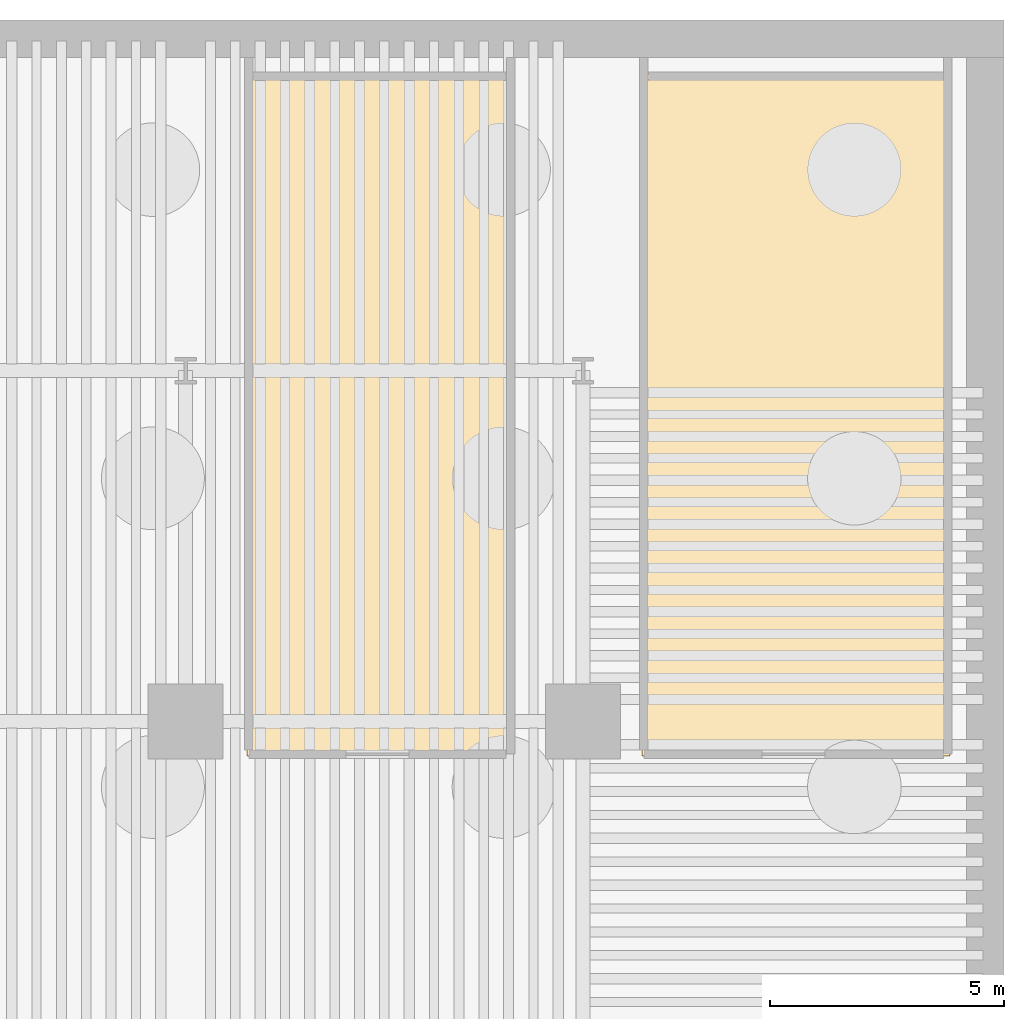
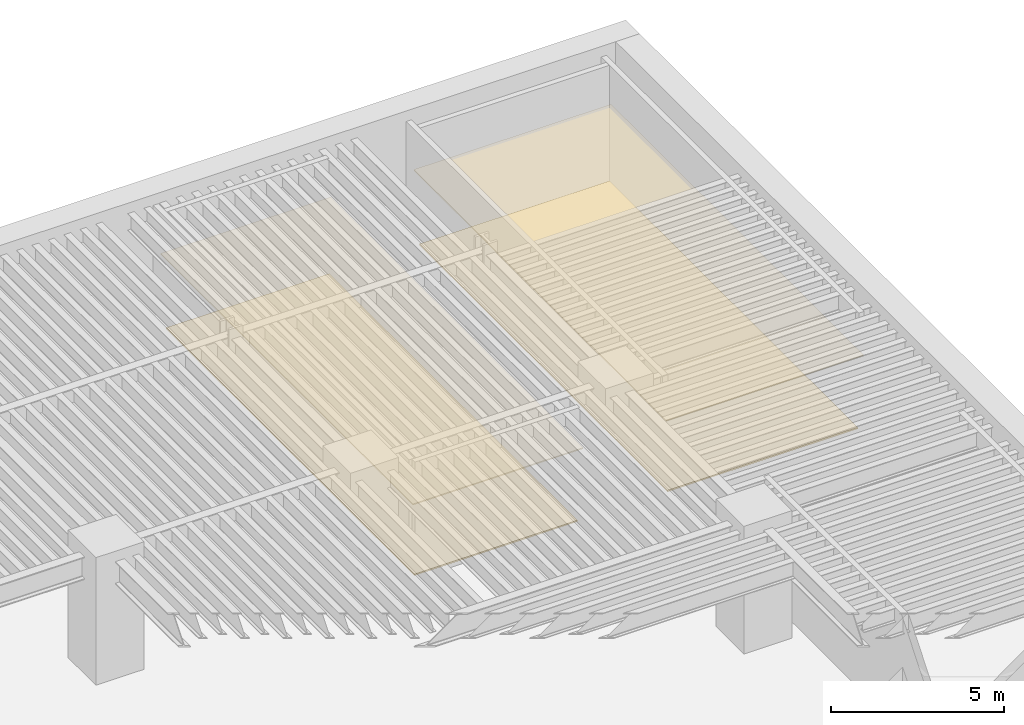
# One storey, part 10 of 11: 4 coverings.
"""IFC4 building model written with IfcOpenShell, lengths in metres."""

from ifc_helpers import new_model, si_unit, direction, frame, origin, place, context, subcontext, project, spatial, polyline, outline, extrude, material, layer, layer_set, type_object, element, save


model = new_model("IFC4")

# Units and contexts
model_context = context("Model", 3, precision=1e-05, world=origin(), true_north=direction((0.0, 1.0)))
body_context = subcontext(model_context, "Body", "Model", "MODEL_VIEW")
ifc_project = project(units=[si_unit("LENGTHUNIT", "METRE"), si_unit("AREAUNIT", "SQUARE_METRE"), si_unit("VOLUMEUNIT", "CUBIC_METRE"), si_unit("PLANEANGLEUNIT", "RADIAN"), si_unit("MASSUNIT", "GRAM", prefix="KILO")], contexts=[model_context])

# Site, building, storey
site_placement = place(None, origin())
site = spatial("IfcSite", under=ifc_project, at=site_placement, CompositionType="ELEMENT")
building_placement = place(site_placement, origin())
building = spatial("IfcBuilding", under=site, at=building_placement, Name="Caeloran Harvest Quay", CompositionType="ELEMENT")
storey_placement = place(building_placement, frame((0.0, 0.0, -18.0)))
storey = spatial("IfcBuildingStorey", under=building, at=storey_placement, Name="B04", CompositionType="ELEMENT", Elevation=-18.0)

# Coverings
ifc_material_1 = material(Name="Perforated Mineral-Fibre Acoustic Ceiling Tile", Category="ceiling")
ifc_layer_1 = layer(ifc_material_1, 0.0400390625, Name="Perforated Mineral-Fibre Acoustic Ceiling Tile")
ifc_layer_set_1 = layer_set([ifc_layer_1], Name="Perforated Mineral-Fibre Acoustic Ceiling Tile")
covering_type_1 = type_object("IfcCoveringType", Name="COV-CEILING-ACOUSTIC", PredefinedType="CEILING", material=ifc_layer_set_1)
covering_1_placement = place(storey_placement, frame((0.0, 0.0, 2.60009765625)))
element("IfcCovering", 1, at=covering_1_placement, inside=storey, type_object=covering_type_1, Name="Geothermal Seawater Heat-Rejection Chiller Plant Acoustic Ceiling", PredefinedType="CEILING", context=body_context, shape_type="SweptSolid", body=[
    extrude(outline(polyline([(58.840087890625, 44.840087890625), (58.840087890625, 30.260009765625), (52.260009765625, 30.260009765625), (52.260009765625, 44.840087890625), (58.840087890625, 44.840087890625)])), origin(), (0.0, 0.0, 1.0), 0.039794921875),
])
covering_2_placement = place(storey_placement, frame((0.0, 0.0, 2.60009765625)))
element("IfcCovering", 2, at=covering_2_placement, inside=storey, type_object=covering_type_1, Name="HV Main Transformer and Switchboard Hall Acoustic Ceiling", PredefinedType="CEILING", context=body_context, shape_type="SweptSolid", body=[
    extrude(outline(polyline([(49.489990234375, 44.840087890625), (49.489990234375, 30.260009765625), (43.81005859375, 30.260009765625), (43.81005859375, 44.840087890625), (49.489990234375, 44.840087890625)])), origin(), (0.0, 0.0, 1.0), 0.039794921875),
])
ifc_material_2 = material(Name="Calcium-Sulphate Raised Access Floor and Terrazzo Finish", Category="flooring")
ifc_layer_2 = layer(ifc_material_2, 0.050048828125, Name="Calcium-Sulphate Raised Access Floor and Terrazzo Finish")
ifc_layer_set_2 = layer_set([ifc_layer_2], Name="Calcium-Sulphate Raised Access Floor and Terrazzo Finish")
covering_type_2 = type_object("IfcCoveringType", Name="COV-FLOOR-RAISED", PredefinedType="FLOORING", material=ifc_layer_set_2)
covering_3_placement = place(storey_placement, origin())
element("IfcCovering", 3, at=covering_3_placement, inside=storey, type_object=covering_type_2, Name="Geothermal Seawater Heat-Rejection Chiller Plant Raised Finish Flooring", PredefinedType="FLOORING", context=body_context, shape_type="SweptSolid", body=[
    extrude(outline(polyline([(58.719970703125, 44.719970703125), (58.719970703125, 30.3798828125), (52.3798828125, 30.3798828125), (52.3798828125, 44.719970703125), (58.719970703125, 44.719970703125)])), origin(), (0.0, 0.0, 1.0), 0.050048828125),
])
covering_4_placement = place(storey_placement, origin())
element("IfcCovering", 4, at=covering_4_placement, inside=storey, type_object=covering_type_2, Name="HV Main Transformer and Switchboard Hall Raised Finish Flooring", PredefinedType="FLOORING", context=body_context, shape_type="SweptSolid", body=[
    extrude(outline(polyline([(49.3701171875, 44.719970703125), (49.3701171875, 30.3798828125), (43.929931640625, 30.3798828125), (43.929931640625, 44.719970703125), (49.3701171875, 44.719970703125)])), origin(), (0.0, 0.0, 1.0), 0.050048828125),
])

save(model, "model.ifc")
